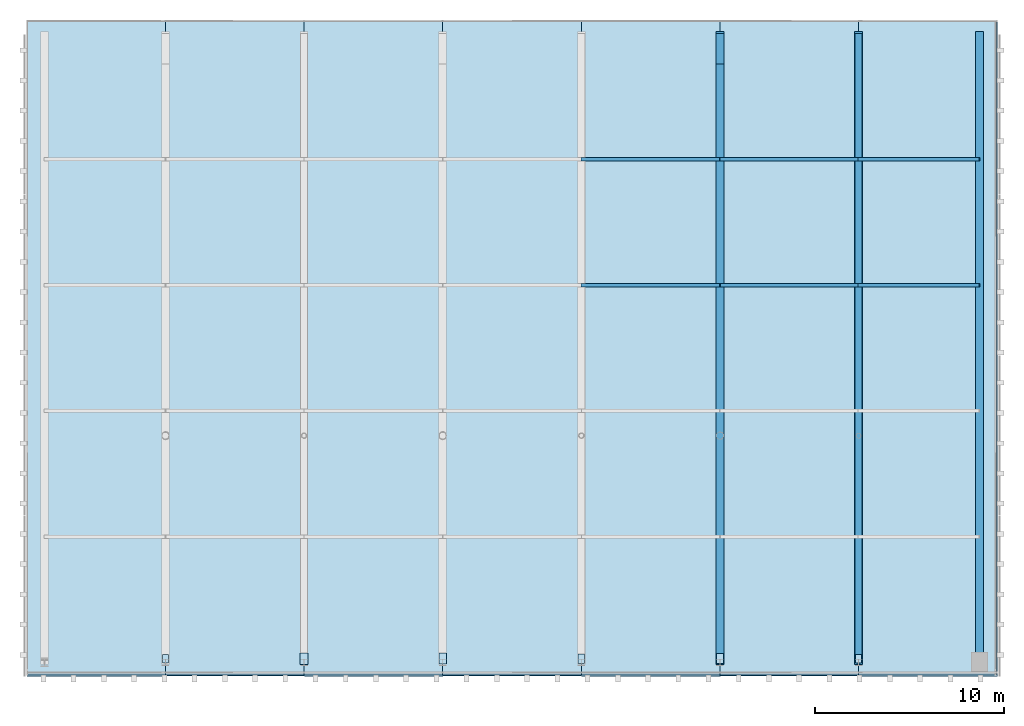
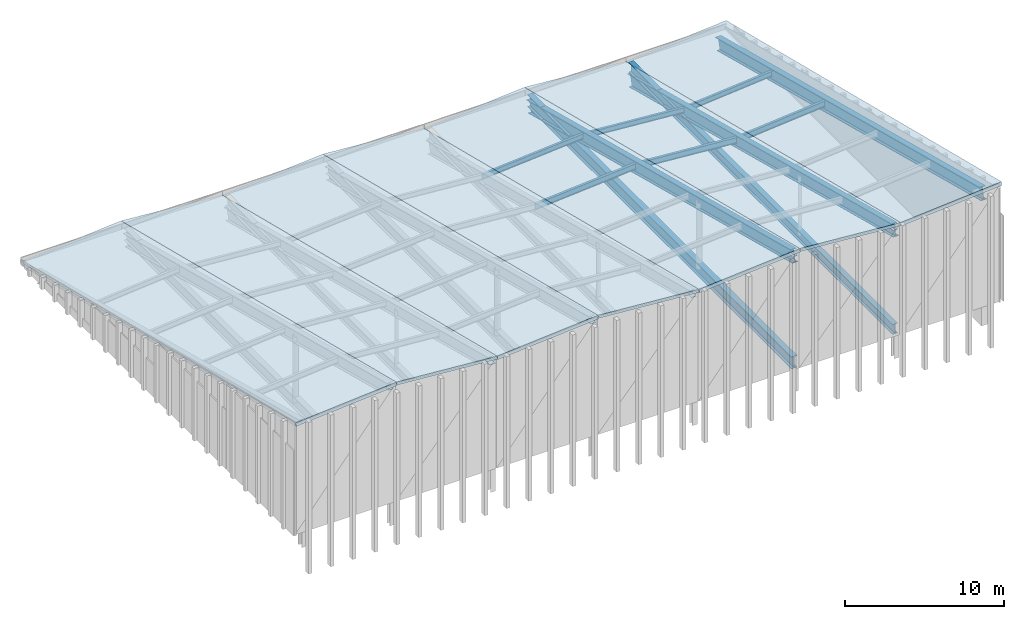
# One storey, part 6 of 8: 8 members, 7 slabs, 6 plates, 3 beams.
"""IFC4 building model written with IfcOpenShell, lengths in metres."""

from ifc_helpers import new_model, si_unit, direction, frame, origin, origin_2d, place, context, subcontext, project, spatial, polyline, rectangle, i_section, outline, extrude, material, layer, layer_set, material_profile, profile_set, type_object, element, save


model = new_model("IFC4")

# Units and contexts
model_context = context("Model", 3, precision=1e-05, world=origin(), true_north=direction((0.0, 1.0)))
body_context = subcontext(model_context, "Body", "Model", "MODEL_VIEW")
ifc_project = project(units=[si_unit("LENGTHUNIT", "METRE"), si_unit("AREAUNIT", "SQUARE_METRE"), si_unit("VOLUMEUNIT", "CUBIC_METRE"), si_unit("PLANEANGLEUNIT", "RADIAN"), si_unit("MASSUNIT", "GRAM", prefix="KILO")], contexts=[model_context])

# Site, building, storey
site_placement = place(None, origin())
site = spatial("IfcSite", under=ifc_project, at=site_placement, CompositionType="ELEMENT")
building_placement = place(site_placement, origin())
building = spatial("IfcBuilding", under=site, at=building_placement, Name="Trimount Lyric Opera House", CompositionType="ELEMENT")
storey_placement = place(building_placement, frame((0.0, 0.0, 34.199951171875)))
storey = spatial("IfcBuildingStorey", under=building, at=storey_placement, Name="RF", CompositionType="ELEMENT", Elevation=34.199951171875)

# Beams
ifc_material_1 = material(Name="Steel ASTM A992 Grade 50", Category="steel")
ifc_material_profile_1 = material_profile(ifc_material_1, i_section(OverallWidth=0.424072265625, OverallDepth=0.947021484375, WebThickness=0.02392578125, FlangeThickness=0.042724609375, FilletRadius=0.02392578125, at=origin_2d()), Name="W36X302")
ifc_profile_set_1 = profile_set([ifc_material_profile_1], Name="Steel ASTM A992 Grade 50")
beam_type_1 = type_object("IfcBeamType", Name="B-01", PredefinedType="BEAM", material=ifc_profile_set_1)
for number, where, z_axis, x_axis, name in (
    (1, (100.005615234375, 84.0, 8.236572265625), (0.0, 0.967982968346, -0.25101588195), (-1.0, 0.0, 0.0), "Fly-tower folded roof ridge girder 6"),
    (2, (113.739990234375, 84.0, 8.236572265625), (0.0, 0.967982968346, -0.25101588195), (-1.0, 0.0, 0.0), "Fly-tower folded roof ridge girder 8"),
):
    element("IfcBeam", number, at=place(storey_placement, frame(where, z_axis=z_axis, x_axis=x_axis)), inside=storey, type_object=beam_type_1, Name=name, PredefinedType="BEAM", context=body_context, shape_type="SweptSolid", body=[
        extrude(i_section(OverallWidth=0.424072265625, OverallDepth=0.947021484375, WebThickness=0.02392578125, FlangeThickness=0.042724609375, FilletRadius=0.02392578125, at=origin_2d()), origin(), (0.0, 0.0, 1.0), 34.380859375),
    ])
ifc_material_2 = material(Name="Steel ASTM A992 Grade 50", Category="steel")
ifc_material_profile_2 = material_profile(ifc_material_2, i_section(OverallWidth=0.4189453125, OverallDepth=0.927001953125, WebThickness=0.019287109375, FlangeThickness=0.031982421875, FilletRadius=0.02392578125, at=origin_2d()), Name="W36X231")
ifc_profile_set_2 = profile_set([ifc_material_profile_2], Name="Steel ASTM A992 Grade 50")
beam_type_2 = type_object("IfcBeamType", Name="B-02", PredefinedType="BEAM", material=ifc_profile_set_2)
beam_placement = place(storey_placement, frame((107.3427734375, 84.0, 7.66650390625), z_axis=(0.0, 0.967984693739, -0.25100922829), x_axis=(-1.0, 0.0, 0.0)))
element("IfcBeam", 3, at=beam_placement, inside=storey, type_object=beam_type_2, Name="Fly-tower folded roof valley girder 7", PredefinedType="BEAM", context=body_context, shape_type="SweptSolid", body=[
    extrude(i_section(OverallWidth=0.4189453125, OverallDepth=0.927001953125, WebThickness=0.019287109375, FlangeThickness=0.031982421875, FilletRadius=0.02392578125, at=origin_2d()), origin(), (0.0, 0.0, 1.0), 34.380859375),
])

# Members
ifc_material_3 = material(Name="Steel ASTM A992 Grade 50", Category="steel")
ifc_material_profile_3 = material_profile(ifc_material_3, i_section(OverallWidth=0.4189453125, OverallDepth=0.927001953125, WebThickness=0.019287109375, FlangeThickness=0.031982421875, FilletRadius=0.02392578125, at=origin_2d()), Name="W36X231")
ifc_profile_set_3 = profile_set([ifc_material_profile_3], Name="Steel ASTM A992 Grade 50")
member_type_1 = type_object("IfcMemberType", Name="CH-01", PredefinedType="CHORD", material=ifc_profile_set_3)
member_1_placement = place(storey_placement, frame((100.005615234375, 84.0, 0.050048828125), z_axis=(0.0, 1.0, 0.0), x_axis=(-1.0, 0.0, 0.0)))
element("IfcMember", 4, at=member_1_placement, inside=storey, type_object=member_type_1, Name="Fly-tower roof bottom tie chord 6", PredefinedType="CHORD", context=body_context, shape_type="SweptSolid", body=[
    extrude(i_section(OverallWidth=0.4189453125, OverallDepth=0.927001953125, WebThickness=0.019287109375, FlangeThickness=0.031982421875, FilletRadius=0.02392578125, at=origin_2d()), origin(), (0.0, 0.0, 1.0), 33.280029296875),
])
ifc_material_4 = material(Name="Steel ASTM A992 Grade 50", Category="steel")
ifc_material_profile_4 = material_profile(ifc_material_4, i_section(OverallWidth=0.382080078125, OverallDepth=0.779052734375, WebThickness=0.01806640625, FlangeThickness=0.0302734375, FilletRadius=0.01904296875, at=origin_2d()), Name="W30X191")
ifc_profile_set_4 = profile_set([ifc_material_profile_4], Name="Steel ASTM A992 Grade 50")
member_type_2 = type_object("IfcMemberType", Name="CH-02", PredefinedType="CHORD", material=ifc_profile_set_4)
member_2_placement = place(storey_placement, frame((107.3427734375, 84.0, 0.050048828125), z_axis=(0.0, 1.0, 0.0), x_axis=(-1.0, 0.0, 0.0)))
element("IfcMember", 5, at=member_2_placement, inside=storey, type_object=member_type_2, Name="Fly-tower roof bottom tie chord 7", PredefinedType="CHORD", context=body_context, shape_type="SweptSolid", body=[
    extrude(i_section(OverallWidth=0.382080078125, OverallDepth=0.779052734375, WebThickness=0.01806640625, FlangeThickness=0.0302734375, FilletRadius=0.01904296875, at=origin_2d()), origin(), (0.0, 0.0, 1.0), 33.280029296875),
])
ifc_material_5 = material(Name="Steel ASTM A992 Grade 50", Category="steel")
ifc_material_profile_5 = material_profile(ifc_material_5, i_section(OverallWidth=0.177978515625, OverallDepth=0.404052734375, WebThickness=0.007568359375, FlangeThickness=0.010986328125, FilletRadius=0.010009765625, at=origin_2d()), Name="W16X36")
ifc_profile_set_5 = profile_set([ifc_material_profile_5], Name="Steel ASTM A992 Grade 50")
member_type_3 = type_object("IfcMemberType", Name="PR-01", PredefinedType="CHORD", material=ifc_profile_set_5)
for number, where, z_axis, x_axis, name in (
    (6, (92.66845703125, 110.6240234375, 0.762451171875), (0.996995257509, 0.0, 0.077462613592), (0.0, 1.0, 0.0), "Fly-tower roof purlin 5.4"),
    (7, (100.005615234375, 110.6240234375, 1.33251953125), (0.996995257509, 0.0, -0.077462613592), (0.0, 1.0, 0.0), "Fly-tower roof purlin 6.4"),
):
    element("IfcMember", number, at=place(storey_placement, frame(where, z_axis=z_axis, x_axis=x_axis)), inside=storey, type_object=member_type_3, Name=name, PredefinedType="CHORD", context=body_context, shape_type="SweptSolid", body=[
        extrude(i_section(OverallWidth=0.177978515625, OverallDepth=0.404052734375, WebThickness=0.007568359375, FlangeThickness=0.010986328125, FilletRadius=0.010009765625, at=origin_2d()), origin(), (0.0, 0.0, 1.0), 7.359375),
    ])
member_3_placement = place(storey_placement, frame((107.3427734375, 110.6240234375, 0.762451171875), z_axis=(0.996053023158, 0.0, 0.088760211009), x_axis=(0.0, 1.0, 0.0)))
element("IfcMember", 8, at=member_3_placement, inside=storey, type_object=member_type_3, Name="Fly-tower roof purlin 7.4", PredefinedType="CHORD", context=body_context, shape_type="SweptSolid", body=[
    extrude(i_section(OverallWidth=0.177978515625, OverallDepth=0.404052734375, WebThickness=0.007568359375, FlangeThickness=0.010986328125, FilletRadius=0.010009765625, at=origin_2d()), origin(), (0.0, 0.0, 1.0), 6.422607421875),
])
ifc_material_6 = material(Name="Steel ASTM A992 Grade 50", Category="steel")
ifc_material_profile_6 = material_profile(ifc_material_6, i_section(OverallWidth=0.19091796875, OverallDepth=0.45703125, WebThickness=0.009033203125, FlangeThickness=0.014404296875, FilletRadius=0.010986328125, at=origin_2d()), Name="W18X50")
ifc_profile_set_6 = profile_set([ifc_material_profile_6], Name="Steel ASTM A992 Grade 50")
member_type_4 = type_object("IfcMemberType", Name="PR-02", PredefinedType="CHORD", material=ifc_profile_set_6)
for number, where, z_axis, x_axis, name in (
    (9, (92.66845703125, 103.968017578125, 2.488525390625), (0.996995257509, 0.0, 0.077462613592), (0.0, 1.0, 0.0), "Fly-tower roof purlin 5.3"),
    (10, (100.005615234375, 103.968017578125, 3.05859375), (0.996995257509, 0.0, -0.077462613592), (0.0, 1.0, 0.0), "Fly-tower roof purlin 6.3"),
):
    element("IfcMember", number, at=place(storey_placement, frame(where, z_axis=z_axis, x_axis=x_axis)), inside=storey, type_object=member_type_4, Name=name, PredefinedType="CHORD", context=body_context, shape_type="SweptSolid", body=[
        extrude(i_section(OverallWidth=0.19091796875, OverallDepth=0.45703125, WebThickness=0.009033203125, FlangeThickness=0.014404296875, FilletRadius=0.010986328125, at=origin_2d()), origin(), (0.0, 0.0, 1.0), 7.359375),
    ])
member_4_placement = place(storey_placement, frame((107.3427734375, 103.968017578125, 2.488525390625), z_axis=(0.996053023158, 0.0, 0.088760211009), x_axis=(0.0, 1.0, 0.0)))
element("IfcMember", 11, at=member_4_placement, inside=storey, type_object=member_type_4, Name="Fly-tower roof purlin 7.3", PredefinedType="CHORD", context=body_context, shape_type="SweptSolid", body=[
    extrude(i_section(OverallWidth=0.19091796875, OverallDepth=0.45703125, WebThickness=0.009033203125, FlangeThickness=0.014404296875, FilletRadius=0.010986328125, at=origin_2d()), origin(), (0.0, 0.0, 1.0), 6.422607421875),
])

# Plates
ifc_material_7 = material(Name="Steel ASTM A572 Grade 50", Category="steel")
ifc_layer_1 = layer(ifc_material_7, 0.02490234375)
ifc_layer_set_1 = layer_set([ifc_layer_1], Name="KN-01")
plate_type_1 = type_object("IfcPlateType", Name="KN-01", PredefinedType="USERDEFINED", material=ifc_layer_set_1)
plate_1_placement = place(storey_placement, frame((100.005615234375, 84.199951171875, 8.22412109375), z_axis=(0.0, 0.0, 1.0), x_axis=(0.0, 1.0, 0.0)))
element("IfcPlate", 12, at=plate_1_placement, inside=storey, type_object=plate_type_1, Name="Fly-tower roof crest gusset node KN-6", ObjectType="GUSSET_PLATE", PredefinedType="USERDEFINED", context=body_context, shape_type="SweptSolid", body=[
    extrude(rectangle(XDim=0.5400390625, YDim=0.360107421875, at=origin_2d()), origin(), (0.0, 0.0, 1.0), 0.02490234375),
])
ifc_material_8 = material(Name="Steel ASTM A572 Grade 50", Category="steel")
ifc_layer_2 = layer(ifc_material_8, 0.02490234375)
ifc_layer_set_2 = layer_set([ifc_layer_2], Name="KN-03")
plate_type_2 = type_object("IfcPlateType", Name="KN-03", PredefinedType="USERDEFINED", material=ifc_layer_set_2)
for number, where, z_axis, x_axis, name in (
    (13, (70.6572265625, 84.199951171875, 8.22412109375), (0.0, 0.0, 1.0), (0.0, 1.0, 0.0), "Fly-tower roof crest gusset node KN-2"),
    (14, (107.3427734375, 84.199951171875, 7.654052734375), (0.0, 0.0, 1.0), (0.0, 1.0, 0.0), "Fly-tower roof crest gusset node KN-7"),
):
    element("IfcPlate", number, at=place(storey_placement, frame(where, z_axis=z_axis, x_axis=x_axis)), inside=storey, type_object=plate_type_2, Name=name, ObjectType="GUSSET_PLATE", PredefinedType="USERDEFINED", context=body_context, shape_type="SweptSolid", body=[
        extrude(rectangle(XDim=0.449951171875, YDim=0.320068359375, at=origin_2d()), origin(), (0.0, 0.0, 1.0), 0.02490234375),
    ])
ifc_material_9 = material(Name="Steel ASTM A572 Grade 50", Category="steel")
ifc_layer_3 = layer(ifc_material_9, 0.028076171875)
ifc_layer_set_3 = layer_set([ifc_layer_3], Name="KN-04")
plate_type_3 = type_object("IfcPlateType", Name="KN-04", PredefinedType="USERDEFINED", material=ifc_layer_set_3)
plate_2_placement = place(storey_placement, frame((77.994384765625, 84.199951171875, 7.65234375), z_axis=(0.0, 0.0, 1.0), x_axis=(0.0, 1.0, 0.0)))
element("IfcPlate", 15, at=plate_2_placement, inside=storey, type_object=plate_type_3, Name="Fly-tower roof crest gusset node KN-3", ObjectType="GUSSET_PLATE", PredefinedType="USERDEFINED", context=body_context, shape_type="SweptSolid", body=[
    extrude(rectangle(XDim=0.6201171875, YDim=0.419921875, at=origin_2d()), origin(), (0.0, 0.0, 1.0), 0.028076171875),
])
ifc_material_10 = material(Name="Steel ASTM A572 Grade 50", Category="steel")
ifc_layer_4 = layer(ifc_material_10, 0.02490234375)
ifc_layer_set_4 = layer_set([ifc_layer_4], Name="KN-05")
plate_type_4 = type_object("IfcPlateType", Name="KN-05", PredefinedType="USERDEFINED", material=ifc_layer_set_4)
plate_3_placement = place(storey_placement, frame((85.33154296875, 84.199951171875, 8.22412109375), z_axis=(0.0, 0.0, 1.0), x_axis=(0.0, 1.0, 0.0)))
element("IfcPlate", 16, at=plate_3_placement, inside=storey, type_object=plate_type_4, Name="Fly-tower roof crest gusset node KN-4", ObjectType="GUSSET_PLATE", PredefinedType="USERDEFINED", context=body_context, shape_type="SweptSolid", body=[
    extrude(rectangle(XDim=0.580078125, YDim=0.3798828125, at=origin_2d()), origin(), (0.0, 0.0, 1.0), 0.02490234375),
])
ifc_material_11 = material(Name="Steel ASTM A572 Grade 50", Category="steel")
ifc_layer_5 = layer(ifc_material_11, 0.02197265625)
ifc_layer_set_5 = layer_set([ifc_layer_5], Name="KN-06")
plate_type_5 = type_object("IfcPlateType", Name="KN-06", PredefinedType="USERDEFINED", material=ifc_layer_set_5)
plate_4_placement = place(storey_placement, frame((92.66845703125, 84.199951171875, 7.655517578125), z_axis=(0.0, 0.0, 1.0), x_axis=(0.0, 1.0, 0.0)))
element("IfcPlate", 17, at=plate_4_placement, inside=storey, type_object=plate_type_5, Name="Fly-tower roof crest gusset node KN-5", ObjectType="GUSSET_PLATE", PredefinedType="USERDEFINED", context=body_context, shape_type="SweptSolid", body=[
    extrude(rectangle(XDim=0.5, YDim=0.35009765625, at=origin_2d()), origin(), (0.0, 0.0, 1.0), 0.02197265625),
])

# Slabs
ifc_material_12 = material(Name="Concrete C35/45", Category="concrete")
ifc_layer_6 = layer(ifc_material_12, 0.2099609375)
ifc_layer_set_6 = layer_set([ifc_layer_6], Name="SL-RF210")
slab_type_1 = type_object("IfcSlabType", Name="SL-RF210", PredefinedType="ROOF", material=ifc_layer_set_6)
slab_1_placement = place(storey_placement, frame((70.6572265625, 83.320068359375, 9.199951171875), z_axis=(0.07516726513, 0.240799461316, 0.967659806793), x_axis=(0.996996612664, -3.865045e-06, -0.077445169771)))
element("IfcSlab", 18, at=slab_1_placement, inside=storey, type_object=slab_type_1, Name="Fly-tower folded roof facet bay 2", PredefinedType="ROOF", context=body_context, shape_type="SweptSolid", body=[
    extrude(outline(polyline([(0.0, 0.0), (7.3592520084588475, -2.7755575615628914e-17), (8.027479615976333, 35.73136187827265), (0.6682087000053343, 35.731303265836665), (0.0, 0.0)])), origin(), (0.0, 0.0, -1.0), 0.2099609375),
])
slab_2_placement = place(storey_placement, frame((85.33154296875, 83.320068359375, 9.199951171875), z_axis=(0.075169752237, 0.240799416042, 0.967659624859), x_axis=(0.996996413681, -3.865172e-06, -0.077447731352)))
element("IfcSlab", 19, at=slab_2_placement, inside=storey, type_object=slab_type_1, Name="Fly-tower folded roof facet bay 4", PredefinedType="ROOF", context=body_context, shape_type="SweptSolid", body=[
    extrude(outline(polyline([(0.0, 0.0), (7.359008600812434, 0.0), (8.027258310724145, 35.73136146491941), (0.6682308017741743, 35.73130285250614), (0.0, 0.0)])), origin(), (0.0, 0.0, -1.0), 0.2099609375),
])
slab_3_placement = place(storey_placement, frame((100.005615234375, 83.320068359375, 9.199951171875), z_axis=(0.07516726513, 0.240799461316, 0.967659806793), x_axis=(0.996996612664, -3.865045e-06, -0.077445169771)))
element("IfcSlab", 20, at=slab_3_placement, inside=storey, type_object=slab_type_1, Name="Fly-tower folded roof facet bay 6", PredefinedType="ROOF", context=body_context, shape_type="SweptSolid", body=[
    extrude(outline(polyline([(0.0, 0.0), (7.3592520084588475, -2.7755575615628914e-17), (8.027479615976333, 35.73136187827265), (0.6682087000053343, 35.731303265836665), (0.0, 0.0)])), origin(), (0.0, 0.0, -1.0), 0.2099609375),
])
ifc_material_13 = material(Name="Concrete C40/50", Category="concrete")
ifc_layer_7 = layer(ifc_material_13, 0.25)
ifc_layer_set_7 = layer_set([ifc_layer_7], Name="SL-RF250")
slab_type_2 = type_object("IfcSlabType", Name="SL-RF250", PredefinedType="ROOF", material=ifc_layer_set_7)
for number, where, z_axis, x_axis, name in (
    (21, (63.320068359375, 83.320068359375, 8.630126953125), (-0.07516726513, 0.240799461316, 0.967659806793), (0.996996612664, 3.865045e-06, 0.077445169771), "Fly-tower folded roof facet bay 1"),
    (22, (77.994384765625, 83.320068359375, 8.630126953125), (-0.07516726513, 0.240799461316, 0.967659806793), (0.996996612664, 3.865045e-06, 0.077445169771), "Fly-tower folded roof facet bay 3"),
    (23, (92.66845703125, 83.320068359375, 8.630126953125), (-0.07516726513, 0.240799461316, 0.967659806793), (0.996996612664, 3.865045e-06, 0.077445169771), "Fly-tower folded roof facet bay 5"),
    (24, (107.3427734375, 83.320068359375, 8.630126953125), (-0.07516726513, 0.240799461316, 0.967659806793), (0.996996612664, 3.865045e-06, 0.077445169771), "Fly-tower folded roof facet bay 7"),
):
    element("IfcSlab", number, at=place(storey_placement, frame(where, z_axis=z_axis, x_axis=x_axis)), inside=storey, type_object=slab_type_2, Name=name, PredefinedType="ROOF", context=body_context, shape_type="SweptSolid", body=[
        extrude(outline(polyline([(0.0, 0.0), (7.3592520084588475, 2.7755575615628914e-17), (6.691043308453513, 35.731303265836665), (-0.6682276075174852, 35.73136187827265), (0.0, 0.0)])), origin(), (0.0, 0.0, -1.0), 0.25),
    ])

save(model, "model.ifc")
